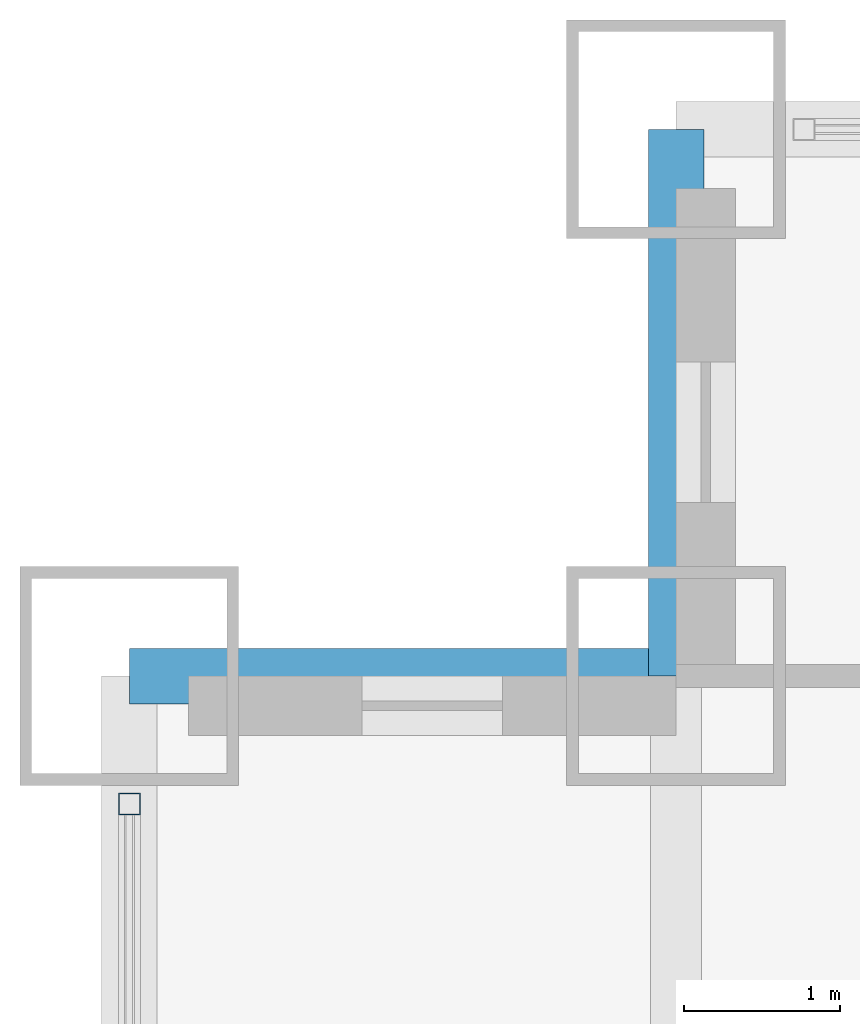
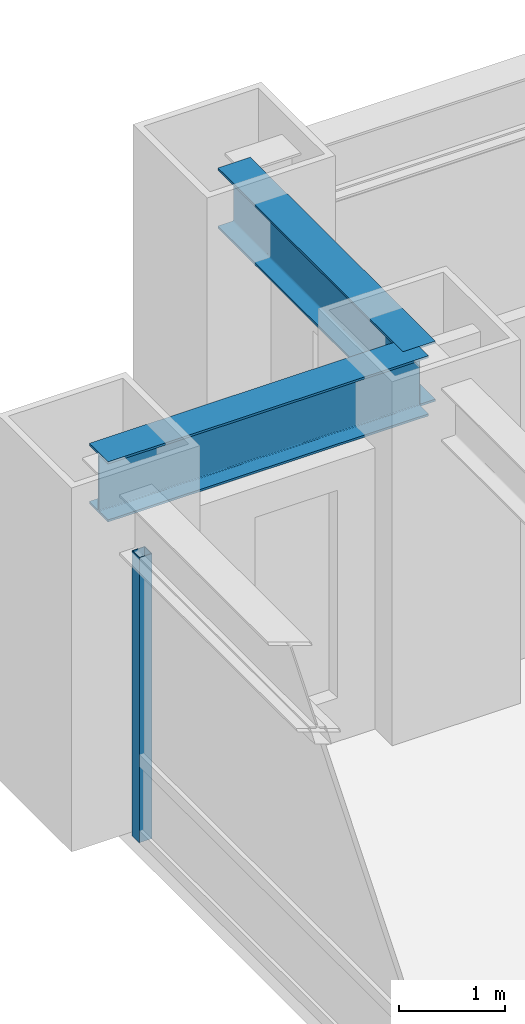
# One storey, part 14 of 28: 2 beams, 1 member, 1 element without a shape of its own.
"""IFC4 building model written with IfcOpenShell, lengths in metres."""

from ifc_helpers import new_model, si_unit, direction, frame, origin, origin_2d, place, context, subcontext, project, spatial, hollow_rectangle, i_section, extrude, source, transform, mapped, material, material_profile, profile_set, type_object, element, aggregate, save


model = new_model("IFC4")

# Units and contexts
model_context = context("Model", 3, precision=1e-05, world=origin(), true_north=direction((0.0, 1.0)))
body_context = subcontext(model_context, "Body", "Model", "MODEL_VIEW")
ifc_project = project(units=[si_unit("LENGTHUNIT", "METRE"), si_unit("AREAUNIT", "SQUARE_METRE"), si_unit("VOLUMEUNIT", "CUBIC_METRE"), si_unit("PLANEANGLEUNIT", "RADIAN"), si_unit("MASSUNIT", "GRAM", prefix="KILO")], contexts=[model_context])

# Site, building, storey
site_placement = place(None, origin())
site = spatial("IfcSite", under=ifc_project, at=site_placement, CompositionType="ELEMENT")
building_placement = place(site_placement, origin())
building = spatial("IfcBuilding", under=site, at=building_placement, Name="Khorayat Bourse Tower", CompositionType="ELEMENT")
storey_placement = place(building_placement, frame((0.0, 0.0, 62.0)))
storey = spatial("IfcBuildingStorey", under=building, at=storey_placement, Name="L13", CompositionType="ELEMENT", Elevation=62.0)

# Beams
ifc_material_1 = material(Name="Steel ASTM A992 Grade 50", Category="steel")
ifc_material_profile_1 = material_profile(ifc_material_1, i_section(OverallWidth=0.35498046875, OverallDepth=0.695068359375, WebThickness=0.015380859375, FlangeThickness=0.02490234375, FilletRadius=0.01806640625, at=origin_2d()), Name="W690X217")
ifc_profile_set_1 = profile_set([ifc_material_profile_1], Name="Steel ASTM A992 Grade 50")
beam_type = type_object("IfcBeamType", Name="BM-SPAN-690", PredefinedType="SPANDREL", material=ifc_profile_set_1)
shared_shape_1 = source(origin(), body_context, "Body", "SweptSolid", [
    extrude(i_section(OverallWidth=0.35498046875, OverallDepth=0.695068359375, WebThickness=0.015380859375, FlangeThickness=0.02490234375, FilletRadius=0.01806640625, at=origin_2d()), origin(), (0.0, 0.0, 1.0), 3.5),
])
for number, where, z_axis, x_axis, name in (
    (1, (-28.5, 28.5, 3.592529296875), (0.0, 1.0, 0.0), (-1.0, 0.0, 0.0), "L13 BM-SPAN-690 BM-L13-SPN-052"),
    (2, (-32.0, 28.5, 3.592529296875), (1.0, 0.0, 0.0), (0.0, 1.0, 0.0), "L13 BM-SPAN-690 BM-L13-SPN-053"),
):
    element("IfcBeam", number, at=place(storey_placement, frame(where, z_axis=z_axis, x_axis=x_axis)), inside=storey, type_object=beam_type, Name=name, PredefinedType="SPANDREL", context=body_context, shape_type="MappedRepresentation", body=[
        mapped(shared_shape_1, transform((0.0, 0.0, 0.0), scale=1.0)),
    ])

# Curtain wall, member
ifc_material_2 = material(Name="Aluminium EN AW-6063 T6", Category="aluminium")
curtain_wall_type = type_object("IfcCurtainWallType", Name="CW-SYS-02", PredefinedType="NOTDEFINED", material=ifc_material_2)
curtain_wall_placement = place(storey_placement, origin())
curtain_wall = element("IfcCurtainWall", 3, at=curtain_wall_placement, inside=storey, type_object=curtain_wall_type, Name="L13 Curtain Wall CW-L13-W1", PredefinedType="NOTDEFINED")
ifc_material_profile_2 = material_profile(ifc_material_2, hollow_rectangle(XDim=0.139892578125, YDim=0.139892578125, WallThickness=0.006103515625, at=origin_2d()), Name="ALU 140x140x6")
ifc_profile_set_2 = profile_set([ifc_material_profile_2], Name="Aluminium EN AW-6063 T6")
member_type = type_object("IfcMemberType", Name="CWM-VERT-140", PredefinedType="MULLION", material=ifc_profile_set_2)
shared_shape_2 = source(origin(), body_context, "Body", "SweptSolid", [
    extrude(hollow_rectangle(XDim=0.139892578125, YDim=0.139892578125, WallThickness=0.006103515625, at=origin_2d()), origin(), (0.0, 0.0, 1.0), 3.2900390625),
])
member_placement = place(storey_placement, frame((-32.0, 27.679931640625, 0.0), z_axis=(0.0, 0.0, 1.0), x_axis=(-1.0, 0.0, 0.0)))
member = element("IfcMember", 4, at=member_placement, type_object=member_type, Name="CW-L13-W1 Vertical Mullion 4", PredefinedType="MULLION", context=body_context, shape_type="MappedRepresentation", body=[
    mapped(shared_shape_2, transform((0.0, 0.0, 0.0), scale=1.0)),
])
aggregate(curtain_wall, [member])

save(model, "model.ifc")
